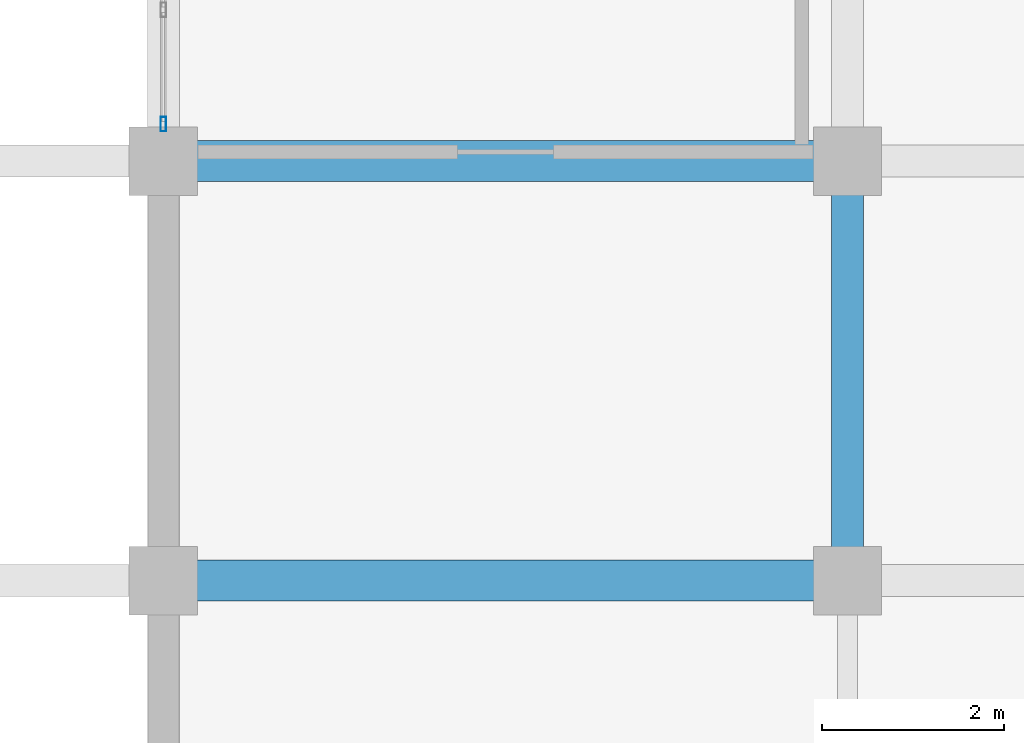
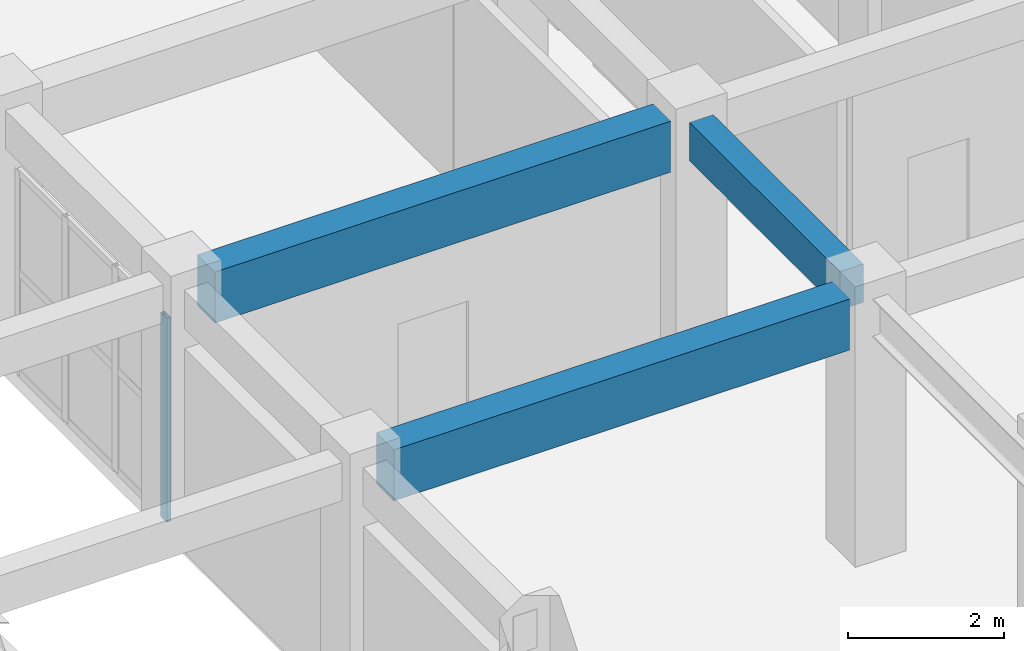
# One storey, part 8 of 116: 3 beams, 1 member, 1 element without a shape of its own.
"""IFC4 building model written with IfcOpenShell, lengths in metres."""

from ifc_helpers import new_model, si_unit, direction, frame, origin, origin_2d, place, context, subcontext, project, spatial, rectangle, hollow_rectangle, extrude, material, layer, layer_set, material_profile, profile_set, type_object, element, aggregate, save


model = new_model("IFC4")

# Units and contexts
model_context = context("Model", 3, precision=1e-05, world=origin(), true_north=direction((0.0, 1.0)))
body_context = subcontext(model_context, "Body", "Model", "MODEL_VIEW")
ifc_project = project(units=[si_unit("LENGTHUNIT", "METRE"), si_unit("AREAUNIT", "SQUARE_METRE"), si_unit("VOLUMEUNIT", "CUBIC_METRE"), si_unit("PLANEANGLEUNIT", "RADIAN"), si_unit("MASSUNIT", "GRAM", prefix="KILO")], contexts=[model_context])

# Site, building, storey
site_placement = place(None, origin())
site = spatial("IfcSite", under=ifc_project, at=site_placement, CompositionType="ELEMENT")
building_placement = place(site_placement, origin())
building = spatial("IfcBuilding", under=site, at=building_placement, Name="Muzn Square Opera House", CompositionType="ELEMENT")
storey_placement = place(building_placement, frame((0.0, 0.0, 5.39990234375)))
storey = spatial("IfcBuildingStorey", under=building, at=storey_placement, Name="L01", CompositionType="ELEMENT", Elevation=5.39990234375)

# Curtain wall, member
ifc_material_1 = material(Name="Low-E laminated acoustic double glazing", Category="glass")
ifc_layer = layer(ifc_material_1, 0.159912109375, Name="Low-E laminated acoustic double glazing", Category="glass")
ifc_layer_set = layer_set([ifc_layer], Name="Low-E laminated acoustic double glazing")
curtain_wall_type = type_object("IfcCurtainWallType", Name="Glazed Curtain Wall WestBlvd 3850x3200", PredefinedType="USERDEFINED", material=ifc_layer_set)
curtain_wall_placement = place(storey_placement, origin())
curtain_wall = element("IfcCurtainWall", 1, at=curtain_wall_placement, inside=storey, type_object=curtain_wall_type, Name="Glazed Curtain Wall CW-L01-140", ObjectType="GLAZED CURTAIN WALL", PredefinedType="USERDEFINED")
ifc_material_2 = material(Name="Anodised bronze aluminium 6063-T6", Category="metal")
ifc_material_profile_1 = material_profile(ifc_material_2, hollow_rectangle(XDim=0.06005859375, YDim=0.159912109375, WallThickness=0.00390625, at=origin_2d()), Name="ALU 160x60x4", Category="metal")
ifc_profile_set_1 = profile_set([ifc_material_profile_1], Name="Anodised bronze aluminium 6063-T6")
member_type = type_object("IfcMemberType", Name="Curtain Wall Mullion 160x60", PredefinedType="MULLION", material=ifc_profile_set_1)
member_placement = place(storey_placement, frame((6.0, 31.60498046875, 0.0), z_axis=(0.0, 0.0, 1.0), x_axis=(-1.0, 0.0, 0.0)))
member = element("IfcMember", 2, at=member_placement, type_object=member_type, Name="CW-WBL-38x32 mullion 1", PredefinedType="MULLION", context=body_context, shape_type="SweptSolid", body=[
    extrude(hollow_rectangle(XDim=0.06005859375, YDim=0.159912109375, WallThickness=0.00390625, at=origin_2d()), origin(), (0.0, 0.0, 1.0), 3.2001953125),
])
aggregate(curtain_wall, [member])

# Beams
ifc_material_3 = material(Name="Concrete C40/50", Category="concrete")
ifc_material_profile_2 = material_profile(ifc_material_3, rectangle(XDim=0.35009765625, YDim=0.60009765625, at=origin_2d()), Name="RCB 350x600", Category="concrete")
ifc_profile_set_2 = profile_set([ifc_material_profile_2], Name="Concrete C40/50")
beam_type_1 = type_object("IfcBeamType", Name="Primary Girder 350x600", PredefinedType="BEAM", material=ifc_profile_set_2)
beam_placement = place(storey_placement, frame((13.5, 26.967041015625, 3.820068359375), z_axis=(0.0, 1.0, 0.0), x_axis=(-1.0, 0.0, 0.0)))
element("IfcBeam", 3, at=beam_placement, inside=storey, type_object=beam_type_1, Name="Primary Girder BM-L01-BM-PG600-135_270_135_308-1544", PredefinedType="BEAM", context=body_context, shape_type="SweptSolid", body=[
    extrude(rectangle(XDim=0.35009765625, YDim=0.60009765625, at=origin_2d()), origin(), (0.0, 0.0, 1.0), 3.865966796875),
])
ifc_material_profile_3 = material_profile(ifc_material_3, rectangle(XDim=0.449951171875, YDim=0.800048828125, at=origin_2d()), Name="RCB 450x800", Category="concrete")
ifc_profile_set_3 = profile_set([ifc_material_profile_3], Name="Concrete C40/50")
beam_type_2 = type_object("IfcBeamType", Name="Primary Girder 450x800", PredefinedType="BEAM", material=ifc_profile_set_3)
for number, where, z_axis, x_axis, name in (
    (4, (6.366943359375, 26.60009765625, 3.72021484375), (1.0, 0.0, 0.0), (0.0, 1.0, 0.0), "Primary Girder BM-L01-BM-PG800-64_266_131_266-1296"),
    (5, (6.366943359375, 31.199951171875, 3.72021484375), (1.0, 0.0, 0.0), (0.0, 1.0, 0.0), "Primary Girder BM-L01-BM-PG800-64_312_131_312-1313"),
):
    element("IfcBeam", number, at=place(storey_placement, frame(where, z_axis=z_axis, x_axis=x_axis)), inside=storey, type_object=beam_type_2, Name=name, PredefinedType="BEAM", context=body_context, shape_type="SweptSolid", body=[
        extrude(rectangle(XDim=0.449951171875, YDim=0.800048828125, at=origin_2d()), origin(), (0.0, 0.0, 1.0), 6.76611328125),
    ])

save(model, "model.ifc")
